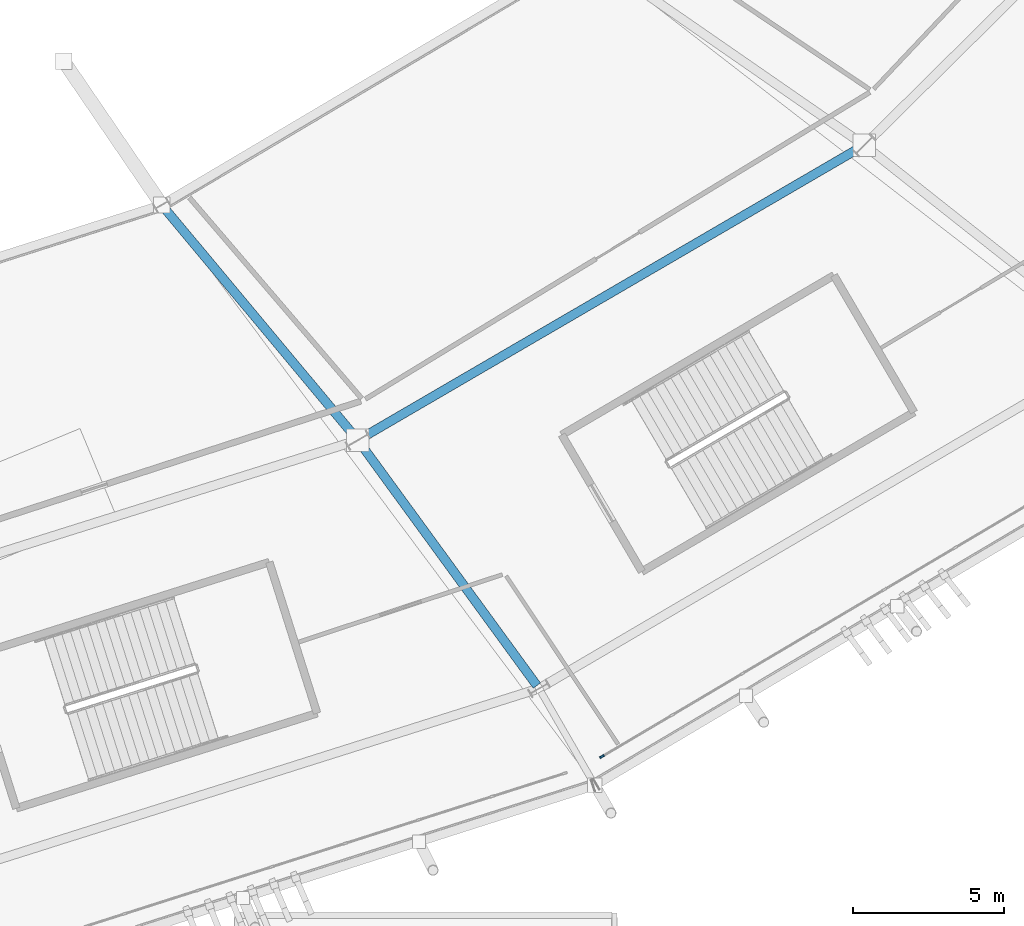
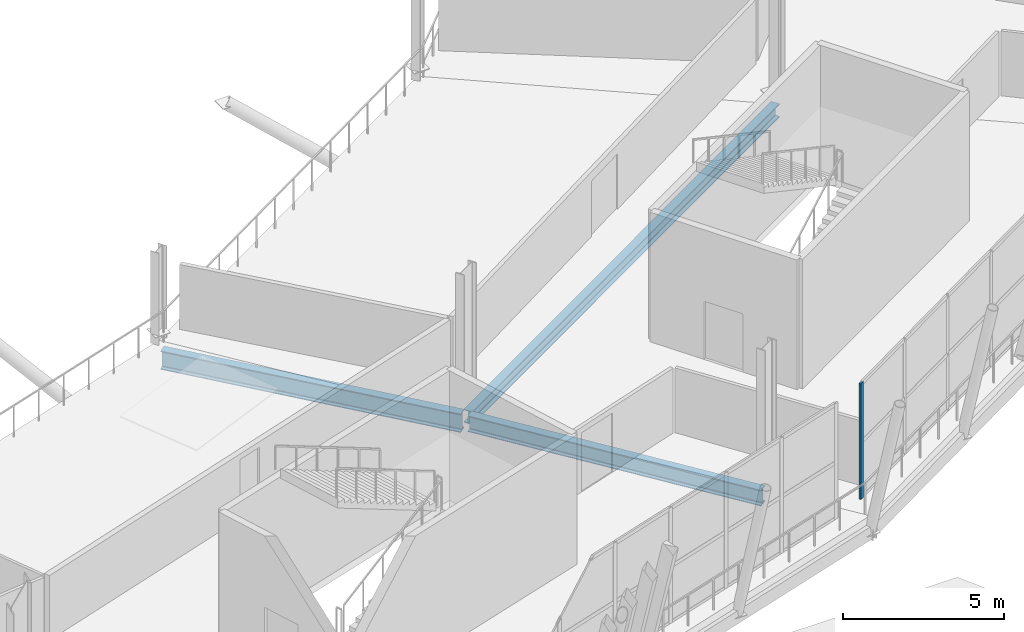
# One storey, part 49 of 168: 3 beams, 1 member, 1 element without a shape of its own.
"""IFC4 building model written with IfcOpenShell, lengths in metres."""

from ifc_helpers import new_model, si_unit, direction, frame, origin, origin_2d, place, context, subcontext, project, spatial, rectangle, i_section, extrude, material, material_profile, profile_set, type_object, element, aggregate, save


model = new_model("IFC4")

# Units and contexts
model_context = context("Model", 3, precision=1e-05, world=origin(), true_north=direction((0.0, 1.0)))
body_context = subcontext(model_context, "Body", "Model", "MODEL_VIEW")
ifc_project = project(units=[si_unit("LENGTHUNIT", "METRE"), si_unit("AREAUNIT", "SQUARE_METRE"), si_unit("VOLUMEUNIT", "CUBIC_METRE"), si_unit("PLANEANGLEUNIT", "RADIAN"), si_unit("MASSUNIT", "GRAM", prefix="KILO")], contexts=[model_context])

# Site, building, storey
site_placement = place(None, origin())
site = spatial("IfcSite", under=ifc_project, at=site_placement, CompositionType="ELEMENT")
building_placement = place(site_placement, origin())
building = spatial("IfcBuilding", under=site, at=building_placement, Name="Zlatoyarsky Gate Stadium", CompositionType="ELEMENT")
storey_placement = place(building_placement, frame((0.0, 0.0, 15.60009765625)))
storey = spatial("IfcBuildingStorey", under=building, at=storey_placement, Name="L03", CompositionType="ELEMENT", Elevation=15.60009765625)

# Curtain wall, member
ifc_material_1 = material(Name="Thermally broken anodised aluminium curtain wall", Category="aluminium")
curtain_wall_type = type_object("IfcCurtainWallType", Name="UNITISED CORPORATE BOX GLAZING L03", PredefinedType="USERDEFINED", material=ifc_material_1)
curtain_wall_placement = place(storey_placement, origin())
curtain_wall = element("IfcCurtainWall", 1, at=curtain_wall_placement, inside=storey, type_object=curtain_wall_type, Name="Curtain wall CW-L03-20", ObjectType="UNITISED GLAZING", PredefinedType="USERDEFINED")
ifc_material_2 = material(Name="Anodised aluminium 6063-T6", Category="aluminium")
ifc_material_profile_1 = material_profile(ifc_material_2, rectangle(XDim=0.06494140625, YDim=0.159912109375, at=origin_2d()), Name="ALU 65X160")
ifc_profile_set_1 = profile_set([ifc_material_profile_1], Name="Anodised aluminium 6063-T6")
member_type = type_object("IfcMemberType", Name="ALUMINIUM MULLION 65X160", PredefinedType="MULLION", material=ifc_profile_set_1)
member_placement = place(storey_placement, frame((159.588623046875, 16.259765625, 0.0), z_axis=(0.0, 0.0, 1.0), x_axis=(-0.509098466593, 0.860708284678, 0.0)))
member = element("IfcMember", 2, at=member_placement, type_object=member_type, Name="CW-UG3 mullion 1", PredefinedType="MULLION", context=body_context, shape_type="SweptSolid", body=[
    extrude(rectangle(XDim=0.06494140625, YDim=0.159912109375, at=origin_2d()), origin(), (0.0, 0.0, 1.0), 4.3798828125),
])
aggregate(curtain_wall, [member])

# Beams
ifc_material_3 = material(Name="Steel S355", Category="steel")
ifc_material_profile_2 = material_profile(ifc_material_3, i_section(OverallWidth=0.300048828125, OverallDepth=0.5, WebThickness=0.014404296875, FlangeThickness=0.028076171875, FilletRadius=0.027099609375, at=origin_2d()), Name="HEB 500")
ifc_profile_set_2 = profile_set([ifc_material_profile_2], Name="Steel S355")
beam_type_1 = type_object("IfcBeamType", Name="STEEL PRIMARY GIRDER HEB 500", PredefinedType="BEAM", material=ifc_profile_set_2)
beam_1_placement = place(storey_placement, frame((151.603759765625, 26.7998046875, -0.530029296875), z_axis=(0.864054462945, 0.503398336375, 0.0), x_axis=(-0.503398336375, 0.864054462945, 0.0)))
element("IfcBeam", 3, at=beam_1_placement, inside=storey, type_object=beam_type_1, Name="Beam G-HEB500 BM-L03-CRB-20", PredefinedType="BEAM", context=body_context, shape_type="SweptSolid", body=[
    extrude(i_section(OverallWidth=0.300048828125, OverallDepth=0.5, WebThickness=0.014404296875, FlangeThickness=0.028076171875, FilletRadius=0.027099609375, at=origin_2d()), origin(), (0.0, 0.0, 1.0), 19.1748046875),
])
ifc_material_profile_3 = material_profile(ifc_material_3, i_section(OverallWidth=0.300048828125, OverallDepth=0.60009765625, WebThickness=0.015380859375, FlangeThickness=0.030029296875, FilletRadius=0.027099609375, at=origin_2d()), Name="HEB 600")
ifc_profile_set_3 = profile_set([ifc_material_profile_3], Name="Steel S355")
beam_type_2 = type_object("IfcBeamType", Name="STEEL PRIMARY GIRDER HEB 600", PredefinedType="BEAM", material=ifc_profile_set_3)
beam_2_placement = place(storey_placement, frame((151.57080078125, 26.642333984375, -0.580078125), z_axis=(0.589228266457, -0.807966614415, 0.0), x_axis=(0.807966614415, 0.589228266457, 0.0)))
element("IfcBeam", 4, at=beam_2_placement, inside=storey, type_object=beam_type_2, Name="Beam G-HEB600 BM-L03-RBC-20", PredefinedType="BEAM", context=body_context, shape_type="SweptSolid", body=[
    extrude(i_section(OverallWidth=0.300048828125, OverallDepth=0.60009765625, WebThickness=0.015380859375, FlangeThickness=0.030029296875, FilletRadius=0.027099609375, at=origin_2d()), origin(), (0.0, 0.0, 1.0), 9.9423828125),
])
ifc_material_profile_4 = material_profile(ifc_material_3, i_section(OverallWidth=0.300048828125, OverallDepth=0.699951171875, WebThickness=0.01708984375, FlangeThickness=0.031982421875, FilletRadius=0.027099609375, at=origin_2d()), Name="HEB 700")
ifc_profile_set_4 = profile_set([ifc_material_profile_4], Name="Steel S355")
beam_type_3 = type_object("IfcBeamType", Name="STEEL PRIMARY GIRDER HEB 700", PredefinedType="BEAM", material=ifc_profile_set_4)
beam_3_placement = place(storey_placement, frame((145.076904296875, 34.44140625, -0.630126953125), z_axis=(0.640460635814, -0.767990998627, 0.0), x_axis=(0.767990998627, 0.640460635814, 0.0)))
element("IfcBeam", 5, at=beam_3_placement, inside=storey, type_object=beam_type_3, Name="Beam G-HEB700 BM-L03-RAB-20", PredefinedType="BEAM", context=body_context, shape_type="SweptSolid", body=[
    extrude(i_section(OverallWidth=0.300048828125, OverallDepth=0.699951171875, WebThickness=0.01708984375, FlangeThickness=0.031982421875, FilletRadius=0.027099609375, at=origin_2d()), origin(), (0.0, 0.0, 1.0), 9.90869140625),
])

save(model, "model.ifc")
